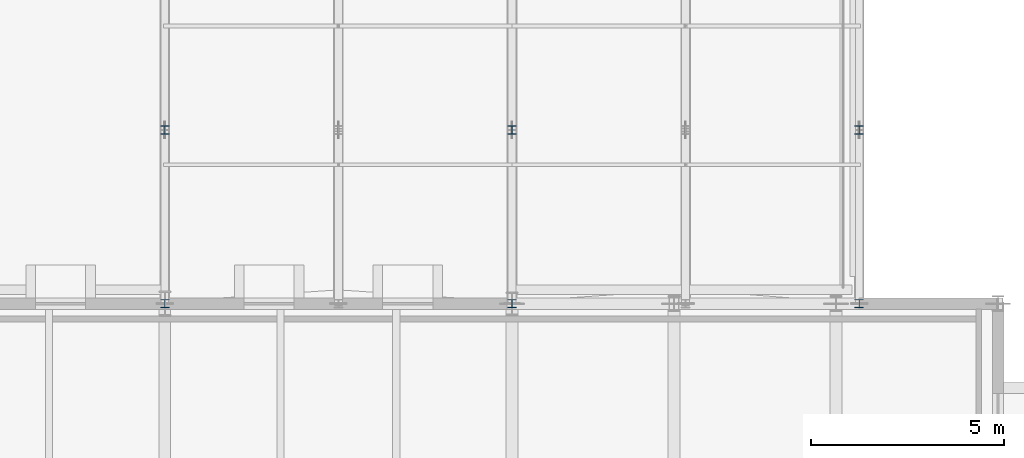
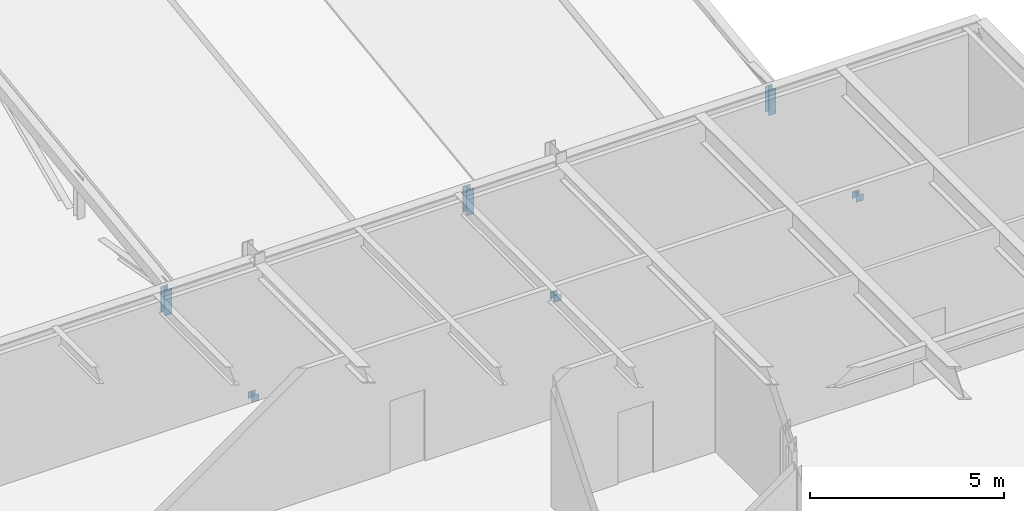
# One storey, part 98 of 142: 6 members.
"""IFC4 building model written with IfcOpenShell, lengths in metres."""

from ifc_helpers import new_model, si_unit, direction, frame, origin, origin_2d, place, context, subcontext, project, spatial, i_section, extrude, material, material_profile, profile_set, type_object, element, save


model = new_model("IFC4")

# Units and contexts
model_context = context("Model", 3, precision=1e-05, world=origin(), true_north=direction((0.0, 1.0)))
body_context = subcontext(model_context, "Body", "Model", "MODEL_VIEW")
ifc_project = project(units=[si_unit("LENGTHUNIT", "METRE"), si_unit("AREAUNIT", "SQUARE_METRE"), si_unit("VOLUMEUNIT", "CUBIC_METRE"), si_unit("PLANEANGLEUNIT", "RADIAN"), si_unit("MASSUNIT", "GRAM", prefix="KILO")], contexts=[model_context])

# Site, building, storey
site_placement = place(None, origin())
site = spatial("IfcSite", under=ifc_project, at=site_placement, CompositionType="ELEMENT")
building_placement = place(site_placement, origin())
building = spatial("IfcBuilding", under=site, at=building_placement, Name="Montelvaro Courts of Justice", CompositionType="ELEMENT")
storey_placement = place(building_placement, frame((0.0, 0.0, 14.39990234375)))
storey = spatial("IfcBuildingStorey", under=building, at=storey_placement, Name="L03", CompositionType="ELEMENT", Elevation=14.39990234375)

# Members
ifc_material = material(Name="Steel S355", Category="steel")
ifc_material_profile = material_profile(ifc_material, i_section(OverallWidth=0.219970703125, OverallDepth=0.2099609375, WebThickness=0.007080078125, FlangeThickness=0.010986328125, at=origin_2d()), Name="HEA 220")
ifc_profile_set = profile_set([ifc_material_profile], Name="Steel S355")
member_type = type_object("IfcMemberType", Name="Mem_HEA220_Post", PredefinedType="POST", material=ifc_profile_set)
member_1_placement = place(storey_placement, frame((126.0, 24.0, -0.2998046875), z_axis=(0.0, 0.0, 1.0), x_axis=(1.0, 0.0, 0.0)))
element("IfcMember", 1, at=member_1_placement, inside=storey, type_object=member_type, Name="Roof Truss Post MP-03 ROOF-V4E-VTR01-V0", PredefinedType="POST", context=body_context, shape_type="SweptSolid", body=[
    extrude(i_section(OverallWidth=0.219970703125, OverallDepth=0.2099609375, WebThickness=0.007080078125, FlangeThickness=0.010986328125, at=origin_2d()), origin(), (0.0, 0.0, 1.0), 0.2099609375),
])
member_2_placement = place(storey_placement, frame((126.0, 28.5, -0.2998046875), z_axis=(0.0, 0.0, 1.0), x_axis=(1.0, 0.0, 0.0)))
element("IfcMember", 2, at=member_2_placement, inside=storey, type_object=member_type, Name="Roof Truss Post MP-03 ROOF-V4E-VTR01-V1", PredefinedType="POST", context=body_context, shape_type="SweptSolid", body=[
    extrude(i_section(OverallWidth=0.219970703125, OverallDepth=0.2099609375, WebThickness=0.007080078125, FlangeThickness=0.010986328125, at=origin_2d()), origin(), (0.0, 0.0, 1.0), 0.809814453125),
])
member_3_placement = place(storey_placement, frame((135.0, 24.0, -0.2998046875), z_axis=(0.0, 0.0, 1.0), x_axis=(1.0, 0.0, 0.0)))
element("IfcMember", 3, at=member_3_placement, inside=storey, type_object=member_type, Name="Roof Truss Post MP-03 ROOF-V4E-VTR02-V0", PredefinedType="POST", context=body_context, shape_type="SweptSolid", body=[
    extrude(i_section(OverallWidth=0.219970703125, OverallDepth=0.2099609375, WebThickness=0.007080078125, FlangeThickness=0.010986328125, at=origin_2d()), origin(), (0.0, 0.0, 1.0), 0.2099609375),
])
member_4_placement = place(storey_placement, frame((135.0, 28.5, -0.2998046875), z_axis=(0.0, 0.0, 1.0), x_axis=(1.0, 0.0, 0.0)))
element("IfcMember", 4, at=member_4_placement, inside=storey, type_object=member_type, Name="Roof Truss Post MP-03 ROOF-V4E-VTR02-V1", PredefinedType="POST", context=body_context, shape_type="SweptSolid", body=[
    extrude(i_section(OverallWidth=0.219970703125, OverallDepth=0.2099609375, WebThickness=0.007080078125, FlangeThickness=0.010986328125, at=origin_2d()), origin(), (0.0, 0.0, 1.0), 0.809814453125),
])
member_5_placement = place(storey_placement, frame((144.0, 24.0, -0.2998046875), z_axis=(0.0, 0.0, 1.0), x_axis=(1.0, 0.0, 0.0)))
element("IfcMember", 5, at=member_5_placement, inside=storey, type_object=member_type, Name="Roof Truss Post MP-03 ROOF-V4E-VTR03-V0", PredefinedType="POST", context=body_context, shape_type="SweptSolid", body=[
    extrude(i_section(OverallWidth=0.219970703125, OverallDepth=0.2099609375, WebThickness=0.007080078125, FlangeThickness=0.010986328125, at=origin_2d()), origin(), (0.0, 0.0, 1.0), 0.2099609375),
])
member_6_placement = place(storey_placement, frame((144.0, 28.5, -0.2998046875), z_axis=(0.0, 0.0, 1.0), x_axis=(1.0, 0.0, 0.0)))
element("IfcMember", 6, at=member_6_placement, inside=storey, type_object=member_type, Name="Roof Truss Post MP-03 ROOF-V4E-VTR03-V1", PredefinedType="POST", context=body_context, shape_type="SweptSolid", body=[
    extrude(i_section(OverallWidth=0.219970703125, OverallDepth=0.2099609375, WebThickness=0.007080078125, FlangeThickness=0.010986328125, at=origin_2d()), origin(), (0.0, 0.0, 1.0), 0.809814453125),
])

save(model, "model.ifc")
